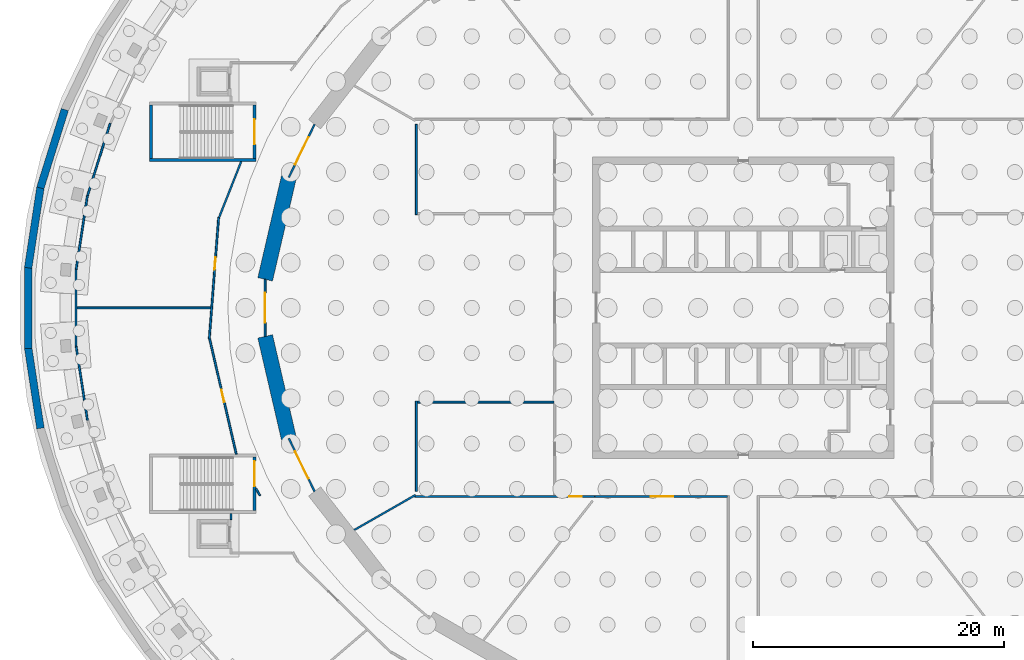
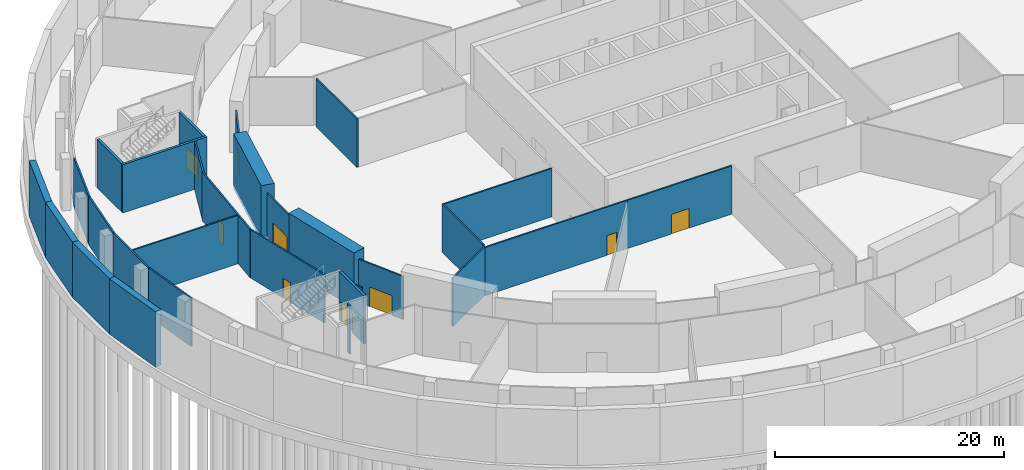
# One storey, part 7 of 15: 29 walls, 9 doors, 9 openings.
"""IFC4 building model written with IfcOpenShell, lengths in metres."""

from ifc_helpers import new_model, si_unit, direction, frame, frame_2d, origin, place, context, subcontext, project, spatial, polyline, rectangle, outline, extrude, material, layer, layer_set, type_object, element, fill, save


model = new_model("IFC4")

# Units and contexts
model_context = context("Model", 3, precision=1e-05, world=origin(), true_north=direction((0.0, 1.0)))
body_context = subcontext(model_context, "Body", "Model", "MODEL_VIEW")
ifc_project = project(units=[si_unit("LENGTHUNIT", "METRE"), si_unit("AREAUNIT", "SQUARE_METRE"), si_unit("VOLUMEUNIT", "CUBIC_METRE"), si_unit("PLANEANGLEUNIT", "RADIAN"), si_unit("MASSUNIT", "GRAM", prefix="KILO")], contexts=[model_context])

# Site, building, storey
site_placement = place(None, origin())
site = spatial("IfcSite", under=ifc_project, at=site_placement, CompositionType="ELEMENT")
building_placement = place(site_placement, origin())
building = spatial("IfcBuilding", under=site, at=building_placement, Name="Halqa Exchange Tower", CompositionType="ELEMENT")
storey_placement = place(building_placement, frame((0.0, 0.0, -15.0)))
storey = spatial("IfcBuildingStorey", under=building, at=storey_placement, Name="B3", CompositionType="ELEMENT", Elevation=-15.0)

# Walls
ifc_material_1 = material(Name="Fire-rated gypsum board")
ifc_layer_1 = layer(ifc_material_1, 0.14990234375)
ifc_layer_set_1 = layer_set([ifc_layer_1], Name="Fire-rated gypsum board")
wall_type_1 = type_object("IfcWallType", Name="Fire partition EI 60 150", PredefinedType="PARTITIONING", material=ifc_layer_set_1)
wall_1_placement = place(storey_placement, frame((-53.080078125, -3.05908203125, 0.0), z_axis=(0.0, 0.0, 1.0), x_axis=(0.0, 1.0, 0.0)))
element("IfcWall", 1, at=wall_1_placement, inside=storey, type_object=wall_type_1, Name="B3-PWL-001", PredefinedType="PARTITIONING", context=body_context, shape_type="SweptSolid", body=[
    extrude(rectangle(XDim=6.1181640625, YDim=0.14990234375, at=frame_2d((3.05908203125, 0.0))), origin(), (0.0, 0.0, 1.0), 5.14990234375),
])
for number, where, z_axis, x_axis, name in (
    (2, (-53.06640625, 3.05859375, 0.0), (0.0, 0.0, 1.0), (0.151282812967, 0.988490521199, 0.0), "B3-PWL-002"),
    (3, (-52.166748046875, -8.93701171875, 0.0), (0.0, 0.0, 1.0), (-0.151282812967, 0.988490521199, 0.0), "B3-PWL-003"),
):
    element("IfcWall", number, at=place(storey_placement, frame(where, z_axis=z_axis, x_axis=x_axis)), inside=storey, type_object=wall_type_1, Name=name, PredefinedType="PARTITIONING", context=body_context, shape_type="SweptSolid", body=[
        extrude(rectangle(XDim=5.94677734375, YDim=0.14990234375, at=frame_2d((2.973388671875, 0.0))), origin(), (0.0, 0.0, 1.0), 5.14990234375),
    ])
wall_2_placement = place(storey_placement, frame((-52.15380859375, 8.93408203125, 0.0), z_axis=(0.0, 0.0, 1.0), x_axis=(0.297713123711, 0.954655380737, 0.0)))
element("IfcWall", 4, at=wall_2_placement, inside=storey, type_object=wall_type_1, Name="B3-PWL-005", PredefinedType="PARTITIONING", context=body_context, shape_type="SweptSolid", body=[
    extrude(rectangle(XDim=6.0126953125, YDim=0.14990234375, at=frame_2d((3.00634765625, 0.0))), origin(), (0.0, 0.0, 1.0), 5.14990234375),
])

# Wall, opening, door
wall_3_placement = place(storey_placement, frame((-42.478271484375, -2.476806640625, 0.0), z_axis=(0.0, 0.0, 1.0), x_axis=(0.077027803404, 0.997028945168, 0.0)))
wall_3 = element("IfcWall", 5, at=wall_3_placement, inside=storey, type_object=wall_type_1, Name="B3-PWL-011", PredefinedType="PARTITIONING", context=body_context, shape_type="SweptSolid", body=[
    extrude(rectangle(XDim=9.6923828125, YDim=0.14990234375, at=frame_2d((4.84619140625, 0.0))), origin(), (0.0, 0.0, 1.0), 5.14990234375),
])
opening_1_placement = place(wall_3_placement, frame((5.51953125, 0.0, 0.0)))
opening_1 = element("IfcOpeningElement", 6, at=opening_1_placement, cuts=wall_3, Name="Opening B3-28", PredefinedType="OPENING", context=body_context, shape_type="SweptSolid", body=[
    extrude(rectangle(XDim=1.0, YDim=2.10009765625, at=frame_2d((0.5, 1.050048828125))), frame((0.0, 0.0869140625, 0.0), z_axis=(0.0, -1.0, 0.0), x_axis=(1.0, 0.0, 0.0)), (0.0, 0.0, 1.0), 0.173828125),
])
ifc_material_2 = material(Name="Steel fire door leaf", Category="steel")
door_type_1 = type_object("IfcDoorType", Name="Fire door FD30S 1000 x 2100", OperationType="SINGLE_SWING_LEFT", PredefinedType="DOOR", material=ifc_material_2)
door_1_placement = place(opening_1_placement, origin())
door_1 = element("IfcDoor", 7, at=door_1_placement, inside=storey, type_object=door_type_1, Name="B3-IDR-028", OperationType="SINGLE_SWING_RIGHT", OverallHeight=2.10009765625, OverallWidth=1.0, PredefinedType="DOOR", context=body_context, shape_type="SweptSolid", body=[
    extrude(rectangle(XDim=1.0, YDim=2.10009765625, at=frame_2d((0.5, 1.050048828125))), frame((0.0, 0.02490234375, 0.0), z_axis=(0.0, -1.0, 0.0), x_axis=(1.0, 0.0, 0.0)), (0.0, 0.0, 1.0), 0.050048828125),
])
fill(opening_1, door_1)

wall_4_placement = place(storey_placement, frame((-42.44482421875, -2.478515625, 0.0), z_axis=(0.0, 0.0, 1.0), x_axis=(0.225569688732, -0.974227034898, 0.0)))
wall_4 = element("IfcWall", 8, at=wall_4_placement, inside=storey, type_object=wall_type_1, Name="B3-PWL-012", PredefinedType="PARTITIONING", context=body_context, shape_type="SweptSolid", body=[
    extrude(outline(polyline([(0.0, -0.074951171875), (9.371826171875, -0.074951171875), (9.406494140625, 0.074951171875), (0.0, 0.074951171875), (0.0, -0.074951171875)])), origin(), (0.0, 0.0, 1.0), 5.14990234375),
])
opening_2_placement = place(wall_4_placement, frame((4.13671875, 0.0, 0.0)))
opening_2 = element("IfcOpeningElement", 9, at=opening_2_placement, cuts=wall_4, Name="Opening B3-29", PredefinedType="OPENING", context=body_context, shape_type="SweptSolid", body=[
    extrude(rectangle(XDim=1.0, YDim=2.10009765625, at=frame_2d((0.5, 1.050048828125))), frame((0.0, 0.0869140625, 0.0), z_axis=(0.0, -1.0, 0.0), x_axis=(1.0, 0.0, 0.0)), (0.0, 0.0, 1.0), 0.173828125),
])
door_2_placement = place(opening_2_placement, frame((1.0, 0.0, 0.0), z_axis=(0.0, 0.0, 1.0), x_axis=(-1.0, 0.0, 0.0)))
door_2 = element("IfcDoor", 10, at=door_2_placement, inside=storey, type_object=door_type_1, Name="B3-IDR-029", OperationType="SINGLE_SWING_RIGHT", OverallHeight=2.10009765625, OverallWidth=1.0, PredefinedType="DOOR", context=body_context, shape_type="SweptSolid", body=[
    extrude(rectangle(XDim=1.0, YDim=2.10009765625, at=frame_2d((0.5, 1.050048828125))), frame((0.0, 0.02490234375, 0.0), z_axis=(0.0, -1.0, 0.0), x_axis=(1.0, 0.0, 0.0)), (0.0, 0.0, 1.0), 0.050048828125),
])
fill(opening_2, door_2)

# Walls
wall_5_placement = place(storey_placement, frame((-42.361572265625, 0.0, 0.0), z_axis=(0.0, 0.0, 1.0), x_axis=(-1.0, 0.0, 0.0)))
element("IfcWall", 11, at=wall_5_placement, inside=storey, type_object=wall_type_1, Name="B3-PWL-013", PredefinedType="PARTITIONING", context=body_context, shape_type="SweptSolid", body=[
    extrude(outline(polyline([(-0.005859375, -0.074951171875), (10.643310546875, -0.074951171875), (10.643310546875, 0.074951171875), (0.005859375, 0.074951171875), (-0.005859375, -0.074951171875)])), origin(), (0.0, 0.0, 1.0), 5.14990234375),
])
wall_6_placement = place(storey_placement, frame((-41.69921875, 7.18310546875, 0.0), z_axis=(0.0, 0.0, 1.0), x_axis=(0.367872650967, 0.929876181365, 0.0)))
element("IfcWall", 12, at=wall_6_placement, inside=storey, type_object=wall_type_1, Name="B3-PWL-014", PredefinedType="PARTITIONING", context=body_context, shape_type="SweptSolid", body=[
    extrude(outline(polyline([(0.0, -0.074951171875), (4.80712890625, -0.074951171875), (4.748046875, 0.074951171875), (0.0, 0.074951171875), (0.0, -0.074951171875)])), origin(), (0.0, 0.0, 1.0), 5.14990234375),
])
wall_7_placement = place(storey_placement, frame((-40.75, -16.85009765625, 0.0), z_axis=(0.0, 0.0, 1.0), x_axis=(0.0, 1.0, 0.0)))
element("IfcWall", 13, at=wall_7_placement, inside=storey, type_object=wall_type_1, Name="B3-PWL-016", PredefinedType="PARTITIONING", context=body_context, shape_type="SweptSolid", body=[
    extrude(rectangle(XDim=0.47607421875, YDim=0.14990234375, at=frame_2d((0.238037109375, 0.0))), origin(), (0.0, 0.0, 1.0), 5.14990234375),
])
wall_8_placement = place(storey_placement, frame((-38.44189453125, -14.925537109375, 0.0), z_axis=(0.0, 0.0, 1.0), x_axis=(-0.491736998712, 0.870743776376, 0.0)))
element("IfcWall", 14, at=wall_8_placement, inside=storey, type_object=wall_type_1, Name="B3-PWL-023", PredefinedType="PARTITIONING", context=body_context, shape_type="SweptSolid", body=[
    extrude(rectangle(XDim=0.628173828125, YDim=0.14990234375, at=frame_2d((0.31396484375, 0.0))), origin(), (0.0, 0.0, 1.0), 5.14990234375),
])

# Wall, opening, door
wall_9_placement = place(storey_placement, frame((-38.030029296875, -2.267578125, 0.0), z_axis=(0.0, 0.0, 1.0), x_axis=(0.0, 1.0, 0.0)))
wall_9 = element("IfcWall", 15, at=wall_9_placement, inside=storey, type_object=wall_type_1, Name="B3-PWL-024", PredefinedType="PARTITIONING", context=body_context, shape_type="SweptSolid", body=[
    extrude(outline(polyline([(0.017333984375, -0.074951171875), (4.517822265625, -0.074951171875), (4.552490234375, 0.074951171875), (-0.017333984375, 0.074951171875), (0.017333984375, -0.074951171875)])), origin(), (0.0, 0.0, 1.0), 4.60009765625),
])
opening_3_placement = place(wall_9_placement, frame((1.0673828125, 0.0, 0.0)))
opening_3 = element("IfcOpeningElement", 16, at=opening_3_placement, cuts=wall_9, Name="Opening B3-19", PredefinedType="OPENING", context=body_context, shape_type="SweptSolid", body=[
    extrude(rectangle(XDim=2.39990234375, YDim=2.10009765625, at=frame_2d((1.199951171875, 1.050048828125))), frame((0.0, 0.0869140625, 0.0), z_axis=(0.0, -1.0, 0.0), x_axis=(1.0, 0.0, 0.0)), (0.0, 0.0, 1.0), 0.173828125),
])
door_type_2 = type_object("IfcDoorType", Name="Fire door FD60S double 2400 x 2100", OperationType="DOUBLE_DOOR_SINGLE_SWING", PredefinedType="DOOR", material=ifc_material_2)
door_3_placement = place(opening_3_placement, origin())
door_3 = element("IfcDoor", 17, at=door_3_placement, inside=storey, type_object=door_type_2, Name="B3-IDR-019", OperationType="DOUBLE_DOOR_SINGLE_SWING", OverallHeight=2.10009765625, OverallWidth=2.39990234375, PredefinedType="DOOR", context=body_context, shape_type="SweptSolid", body=[
    extrude(rectangle(XDim=2.39990234375, YDim=2.10009765625, at=frame_2d((1.199951171875, 1.050048828125))), frame((0.0, 0.02490234375, 0.0), z_axis=(0.0, -1.0, 0.0), x_axis=(1.0, 0.0, 0.0)), (0.0, 0.0, 1.0), 0.050048828125),
])
fill(opening_3, door_3)

wall_10_placement = place(storey_placement, frame((-36.14990234375, 10.3798828125, 0.0), z_axis=(0.0, 0.0, 1.0), x_axis=(0.436936398764, 0.899492403212, 0.0)))
wall_10 = element("IfcWall", 18, at=wall_10_placement, inside=storey, type_object=wall_type_1, Name="B3-PWL-025", PredefinedType="PARTITIONING", context=body_context, shape_type="SweptSolid", body=[
    extrude(outline(polyline([(0.01708984375, -0.074951171875), (4.68212890625, -0.074951171875), (4.7138671875, 0.074951171875), (-0.01708984375, 0.074951171875), (0.01708984375, -0.074951171875)])), origin(), (0.0, 0.0, 1.0), 4.60009765625),
])
opening_4_placement = place(wall_10_placement, frame((1.145751953125, 0.0, 0.0)))
opening_4 = element("IfcOpeningElement", 19, at=opening_4_placement, cuts=wall_10, Name="Opening B3-18", PredefinedType="OPENING", context=body_context, shape_type="SweptSolid", body=[
    extrude(rectangle(XDim=2.39990234375, YDim=2.10009765625, at=frame_2d((1.199951171875, 1.050048828125))), frame((0.0, 0.0869140625, 0.0), z_axis=(0.0, -1.0, 0.0), x_axis=(1.0, 0.0, 0.0)), (0.0, 0.0, 1.0), 0.173828125),
])
door_4_placement = place(opening_4_placement, origin())
door_4 = element("IfcDoor", 20, at=door_4_placement, inside=storey, type_object=door_type_2, Name="B3-IDR-018", OperationType="DOUBLE_DOOR_SINGLE_SWING", OverallHeight=2.10009765625, OverallWidth=2.39990234375, PredefinedType="DOOR", context=body_context, shape_type="SweptSolid", body=[
    extrude(rectangle(XDim=2.39990234375, YDim=2.10009765625, at=frame_2d((1.199951171875, 1.050048828125))), frame((0.0, 0.02490234375, 0.0), z_axis=(0.0, -1.0, 0.0), x_axis=(1.0, 0.0, 0.0)), (0.0, 0.0, 1.0), 0.050048828125),
])
fill(opening_4, door_4)

wall_11_placement = place(storey_placement, frame((-34.1005859375, -14.608642578125, 0.0), z_axis=(0.0, 0.0, 1.0), x_axis=(-0.436102687495, 0.899896908518, 0.0)))
wall_11 = element("IfcWall", 21, at=wall_11_placement, inside=storey, type_object=wall_type_1, Name="B3-PWL-031", PredefinedType="PARTITIONING", context=body_context, shape_type="SweptSolid", body=[
    extrude(outline(polyline([(0.01611328125, -0.074951171875), (4.68212890625, -0.074951171875), (4.71630859375, 0.074951171875), (-0.01611328125, 0.074951171875), (0.01611328125, -0.074951171875)])), origin(), (0.0, 0.0, 1.0), 4.60009765625),
])
opening_5_placement = place(wall_11_placement, frame((1.148681640625, 0.0, 0.0)))
opening_5 = element("IfcOpeningElement", 22, at=opening_5_placement, cuts=wall_11, Name="Opening B3-20", PredefinedType="OPENING", context=body_context, shape_type="SweptSolid", body=[
    extrude(rectangle(XDim=2.39990234375, YDim=2.10009765625, at=frame_2d((1.199951171875, 1.050048828125))), frame((0.0, 0.0869140625, 0.0), z_axis=(0.0, -1.0, 0.0), x_axis=(1.0, 0.0, 0.0)), (0.0, 0.0, 1.0), 0.173828125),
])
door_5_placement = place(opening_5_placement, origin())
door_5 = element("IfcDoor", 23, at=door_5_placement, inside=storey, type_object=door_type_2, Name="B3-IDR-020", OperationType="DOUBLE_DOOR_SINGLE_SWING", OverallHeight=2.10009765625, OverallWidth=2.39990234375, PredefinedType="DOOR", context=body_context, shape_type="SweptSolid", body=[
    extrude(rectangle(XDim=2.39990234375, YDim=2.10009765625, at=frame_2d((1.199951171875, 1.050048828125))), frame((0.0, 0.02490234375, 0.0), z_axis=(0.0, -1.0, 0.0), x_axis=(1.0, 0.0, 0.0)), (0.0, 0.0, 1.0), 0.050048828125),
])
fill(opening_5, door_5)

# Wall
wall_12_placement = place(storey_placement, frame((-26.0, -14.599609375, 0.0), z_axis=(0.0, 0.0, 1.0), x_axis=(0.0, 1.0, 0.0)))
element("IfcWall", 24, at=wall_12_placement, inside=storey, type_object=wall_type_1, Name="B3-PWL-038", PredefinedType="PARTITIONING", context=body_context, shape_type="SweptSolid", body=[
    extrude(rectangle(XDim=7.174560546875, YDim=0.14990234375, at=frame_2d((3.58740234375, 0.0))), origin(), (0.0, 0.0, 1.0), 5.14990234375),
])

# Wall, opening, door
wall_13_placement = place(storey_placement, frame((-26.1298828125, -15.0, 0.0), z_axis=(0.0, 0.0, 1.0), x_axis=(1.0, 0.0, 0.0)))
wall_13 = element("IfcWall", 25, at=wall_13_placement, inside=storey, type_object=wall_type_1, Name="B3-PWL-039", PredefinedType="PARTITIONING", context=body_context, shape_type="SweptSolid", body=[
    extrude(rectangle(XDim=14.31982421875, YDim=0.14990234375, at=frame_2d((7.159912109375, 0.0))), origin(), (0.0, 0.0, 1.0), 5.14990234375),
])
opening_6_placement = place(wall_13_placement, frame((12.280029296875, 0.0, 0.0)))
opening_6 = element("IfcOpeningElement", 26, at=opening_6_placement, cuts=wall_13, Name="Opening B3-13", PredefinedType="OPENING", context=body_context, shape_type="SweptSolid", body=[
    extrude(rectangle(XDim=1.0, YDim=2.10009765625, at=frame_2d((0.5, 1.050048828125))), frame((0.0, 0.0869140625, 0.0), z_axis=(0.0, -1.0, 0.0), x_axis=(1.0, 0.0, 0.0)), (0.0, 0.0, 1.0), 0.173828125),
])
door_6_placement = place(opening_6_placement, origin())
door_6 = element("IfcDoor", 27, at=door_6_placement, inside=storey, type_object=door_type_1, Name="B3-IDR-013", OperationType="SINGLE_SWING_RIGHT", OverallHeight=2.10009765625, OverallWidth=1.0, PredefinedType="DOOR", context=body_context, shape_type="SweptSolid", body=[
    extrude(rectangle(XDim=1.0, YDim=2.10009765625, at=frame_2d((0.5, 1.050048828125))), frame((0.0, 0.02490234375, 0.0), z_axis=(0.0, -1.0, 0.0), x_axis=(1.0, 0.0, 0.0)), (0.0, 0.0, 1.0), 0.050048828125),
])
fill(opening_6, door_6)

# Walls
wall_14_placement = place(storey_placement, frame((-26.07421875, -14.88232421875, 0.0), z_axis=(0.0, 0.0, 1.0), x_axis=(-0.868133416031, -0.496330909746, 0.0)))
element("IfcWall", 28, at=wall_14_placement, inside=storey, type_object=wall_type_1, Name="B3-PWL-040", PredefinedType="PARTITIONING", context=body_context, shape_type="SweptSolid", body=[
    extrude(outline(polyline([(0.0, -0.074951171875), (5.625732421875, -0.074951171875), (5.604248046875, 0.074951171875), (0.0, 0.074951171875), (0.0, -0.074951171875)])), origin(), (0.0, 0.0, 1.0), 5.14990234375),
])
wall_15_placement = place(storey_placement, frame((-25.926025390625, -7.5, 0.0), z_axis=(0.0, 0.0, 1.0), x_axis=(1.0, 0.0, 0.0)))
element("IfcWall", 29, at=wall_15_placement, inside=storey, type_object=wall_type_1, Name="B3-PWL-041", PredefinedType="PARTITIONING", context=body_context, shape_type="SweptSolid", body=[
    extrude(rectangle(XDim=10.85107421875, YDim=0.14990234375, at=frame_2d((5.425537109375, 0.0))), origin(), (0.0, 0.0, 1.0), 5.14990234375),
])
wall_16_placement = place(storey_placement, frame((-26.0, 7.425048828125, 0.0), z_axis=(0.0, 0.0, 1.0), x_axis=(0.0, 1.0, 0.0)))
element("IfcWall", 30, at=wall_16_placement, inside=storey, type_object=wall_type_1, Name="B3-PWL-042", PredefinedType="PARTITIONING", context=body_context, shape_type="SweptSolid", body=[
    extrude(rectangle(XDim=7.174560546875, YDim=0.14990234375, at=frame_2d((3.58740234375, 0.0))), origin(), (0.0, 0.0, 1.0), 5.14990234375),
])

# Wall, opening, door
wall_17_placement = place(storey_placement, frame((-1.27490234375, -15.0, 0.0), z_axis=(0.0, 0.0, 1.0), x_axis=(-1.0, 0.0, 0.0)))
wall_17 = element("IfcWall", 31, at=wall_17_placement, inside=storey, type_object=wall_type_1, Name="B3-PWL-072", PredefinedType="PARTITIONING", context=body_context, shape_type="SweptSolid", body=[
    extrude(rectangle(XDim=10.53564453125, YDim=0.14990234375, at=frame_2d((5.267822265625, 0.0))), origin(), (0.0, 0.0, 1.0), 5.14990234375),
])
opening_7_placement = place(wall_17_placement, frame((4.2939453125, 0.0, 0.0)))
opening_7 = element("IfcOpeningElement", 32, at=opening_7_placement, cuts=wall_17, Name="Opening B3-14", PredefinedType="OPENING", context=body_context, shape_type="SweptSolid", body=[
    extrude(rectangle(XDim=1.800048828125, YDim=2.10009765625, at=frame_2d((0.89990234375, 1.050048828125))), frame((0.0, 0.0869140625, 0.0), z_axis=(0.0, -1.0, 0.0), x_axis=(1.0, 0.0, 0.0)), (0.0, 0.0, 1.0), 0.173828125),
])
door_type_3 = type_object("IfcDoorType", Name="Fire door FD30S double 1800 x 2100", OperationType="DOUBLE_DOOR_SINGLE_SWING", PredefinedType="DOOR", material=ifc_material_2)
door_7_placement = place(opening_7_placement, frame((1.800048828125, 0.0, 0.0), z_axis=(0.0, 0.0, 1.0), x_axis=(-1.0, 0.0, 0.0)))
door_7 = element("IfcDoor", 33, at=door_7_placement, inside=storey, type_object=door_type_3, Name="B3-IDR-014", OperationType="DOUBLE_DOOR_SINGLE_SWING", OverallHeight=2.10009765625, OverallWidth=1.800048828125, PredefinedType="DOOR", context=body_context, shape_type="SweptSolid", body=[
    extrude(rectangle(XDim=1.800048828125, YDim=2.10009765625, at=frame_2d((0.89990234375, 1.050048828125))), frame((0.0, 0.02490234375, 0.0), z_axis=(0.0, -1.0, 0.0), x_axis=(1.0, 0.0, 0.0)), (0.0, 0.0, 1.0), 0.050048828125),
])
fill(opening_7, door_7)

# Walls
ifc_material_3 = material(Name="Concrete C40/50", Category="concrete")
ifc_layer_2 = layer(ifc_material_3, 0.60009765625)
ifc_layer_set_2 = layer_set([ifc_layer_2], Name="Concrete C40/50")
wall_type_2 = type_object("IfcWallType", Name="RC basement wall 600", PredefinedType="SOLIDWALL", material=ifc_layer_set_2)
wall_18_placement = place(storey_placement, frame((-53.968505859375, 15.771484375, -0.39990234375), z_axis=(0.0, 0.0, 1.0), x_axis=(-0.297591507632, -0.954693298701, 0.0)))
element("IfcWall", 34, at=wall_18_placement, inside=storey, type_object=wall_type_2, Name="Basement retaining wall", PredefinedType="SOLIDWALL", context=body_context, shape_type="SweptSolid", body=[
    extrude(rectangle(XDim=6.529541015625, YDim=0.60009765625, at=frame_2d((3.2646484375, 0.0))), origin(), (0.0, 0.0, 1.0), 5.89990234375),
])
wall_19_placement = place(storey_placement, frame((-55.9013671875, 9.581787109375, -0.39990234375), z_axis=(0.0, 0.0, 1.0), x_axis=(-0.151402579615, -0.988472184174, 0.0)))
element("IfcWall", 35, at=wall_19_placement, inside=storey, type_object=wall_type_2, Name="Basement retaining wall", PredefinedType="SOLIDWALL", context=body_context, shape_type="SweptSolid", body=[
    extrude(rectangle(XDim=6.474365234375, YDim=0.60009765625, at=frame_2d((3.2373046875, 0.0))), origin(), (0.0, 0.0, 1.0), 5.89990234375),
])
wall_20_placement = place(storey_placement, frame((-56.8779296875, 3.2275390625, -0.39990234375), z_axis=(0.0, 0.0, 1.0), x_axis=(0.0, -1.0, 0.0)))
element("IfcWall", 36, at=wall_20_placement, inside=storey, type_object=wall_type_2, Name="Basement retaining wall", PredefinedType="SOLIDWALL", context=body_context, shape_type="SweptSolid", body=[
    extrude(rectangle(XDim=6.455078125, YDim=0.60009765625, at=frame_2d((3.2275390625, 0.0))), origin(), (0.0, 0.0, 1.0), 5.89990234375),
])
wall_21_placement = place(storey_placement, frame((-56.881591796875, -3.18212890625, -0.39990234375), z_axis=(0.0, 0.0, 1.0), x_axis=(0.151402579615, -0.988472184174, 0.0)))
element("IfcWall", 37, at=wall_21_placement, inside=storey, type_object=wall_type_2, Name="Basement retaining wall", PredefinedType="SOLIDWALL", context=body_context, shape_type="SweptSolid", body=[
    extrude(rectangle(XDim=6.474365234375, YDim=0.60009765625, at=frame_2d((3.2373046875, 0.0))), origin(), (0.0, 0.0, 1.0), 5.89990234375),
])
ifc_material_4 = material(Name="Concrete C80/95", Category="concrete")
ifc_layer_3 = layer(ifc_material_4, 1.199951171875)
ifc_layer_set_3 = layer_set([ifc_layer_3], Name="Concrete C80/95")
wall_type_3 = type_object("IfcWallType", Name="RC ring pier 1200 C80/95", PredefinedType="SHEAR", material=ifc_layer_set_3)
for number, where, z_axis, x_axis, name in (
    (38, (-36.14892578125, 10.38037109375, -0.39990234375), (0.0, 0.0, 1.0), (-0.226058185805, -0.974113800657, 0.0), "Ring pier 8"),
    (39, (-38.03173828125, -2.26708984375, -0.39990234375), (0.0, 0.0, 1.0), (0.226058185805, -0.974113800657, 0.0), "Ring pier 9"),
):
    element("IfcWall", number, at=place(storey_placement, frame(where, z_axis=z_axis, x_axis=x_axis)), inside=storey, type_object=wall_type_3, Name=name, PredefinedType="SHEAR", context=body_context, shape_type="SweptSolid", body=[
        extrude(rectangle(XDim=8.328857421875, YDim=1.199951171875, at=frame_2d((4.16455078125, 0.0))), origin(), (0.0, 0.0, 1.0), 5.89990234375),
    ])
ifc_material_5 = material(Name="Concrete C30/37", Category="concrete")
ifc_layer_4 = layer(ifc_material_5, 0.25)
ifc_layer_set_4 = layer_set([ifc_layer_4], Name="Concrete C30/37")
wall_type_4 = type_object("IfcWallType", Name="RC stair wall 250 C30/37", PredefinedType="SHEAR", material=ifc_layer_set_4)
wall_22_placement = place(storey_placement, frame((-47.25, 11.75, 0.0), z_axis=(0.0, 0.0, 1.0), x_axis=(1.0, 0.0, 0.0)))
element("IfcWall", 40, at=wall_22_placement, inside=storey, type_object=wall_type_4, Name="Stair SS3 wall south", PredefinedType="SHEAR", context=body_context, shape_type="SweptSolid", body=[
    extrude(rectangle(XDim=8.5, YDim=0.25, at=frame_2d((4.25, 0.0))), origin(), (0.0, 0.0, 1.0), 5.14990234375),
])
wall_23_placement = place(storey_placement, frame((-47.125, 11.875, 0.0), z_axis=(0.0, 0.0, 1.0), x_axis=(0.0, 1.0, 0.0)))
element("IfcWall", 41, at=wall_23_placement, inside=storey, type_object=wall_type_4, Name="Stair SS3 wall west", PredefinedType="SHEAR", context=body_context, shape_type="SweptSolid", body=[
    extrude(rectangle(XDim=4.25, YDim=0.25, at=frame_2d((2.125, 0.0))), origin(), (0.0, 0.0, 1.0), 5.14990234375),
])

# Wall, opening, door
wall_24_placement = place(storey_placement, frame((-38.875, 11.875, 0.0), z_axis=(0.0, 0.0, 1.0), x_axis=(0.0, 1.0, 0.0)))
wall_24 = element("IfcWall", 42, at=wall_24_placement, inside=storey, type_object=wall_type_4, Name="Stair SS3 wall east", PredefinedType="SHEAR", context=body_context, shape_type="SweptSolid", body=[
    extrude(rectangle(XDim=4.25, YDim=0.25, at=frame_2d((2.125, 0.0))), origin(), (0.0, 0.0, 1.0), 5.14990234375),
])
opening_8_placement = place(wall_24_placement, frame((1.125, 0.0, 0.0)))
opening_8 = element("IfcOpeningElement", 43, at=opening_8_placement, cuts=wall_24, Name="Opening B3-C13", PredefinedType="OPENING", context=body_context, shape_type="SweptSolid", body=[
    extrude(rectangle(XDim=2.0, YDim=2.10009765625, at=frame_2d((1.0, 1.050048828125))), frame((0.0, 0.136962890625, 0.0), z_axis=(0.0, -1.0, 0.0), x_axis=(1.0, 0.0, 0.0)), (0.0, 0.0, 1.0), 0.27392578125),
])
door_type_4 = type_object("IfcDoorType", Name="Station stair double door FD90 2000 x 2100", OperationType="DOUBLE_DOOR_SINGLE_SWING", PredefinedType="DOOR", material=ifc_material_2)
door_8_placement = place(opening_8_placement, origin())
door_8 = element("IfcDoor", 44, at=door_8_placement, inside=storey, type_object=door_type_4, Name="Core room door", OperationType="DOUBLE_DOOR_SINGLE_SWING", OverallHeight=2.10009765625, OverallWidth=2.0, PredefinedType="DOOR", context=body_context, shape_type="SweptSolid", body=[
    extrude(rectangle(XDim=2.0, YDim=2.10009765625, at=frame_2d((1.0, 1.050048828125))), frame((0.0, 0.02490234375, 0.0), z_axis=(0.0, -1.0, 0.0), x_axis=(1.0, 0.0, 0.0)), (0.0, 0.0, 1.0), 0.050048828125),
])
fill(opening_8, door_8)

wall_25_placement = place(storey_placement, frame((-38.875, -16.125, 0.0), z_axis=(0.0, 0.0, 1.0), x_axis=(0.0, 1.0, 0.0)))
wall_25 = element("IfcWall", 45, at=wall_25_placement, inside=storey, type_object=wall_type_4, Name="Stair SS4 wall east", PredefinedType="SHEAR", context=body_context, shape_type="SweptSolid", body=[
    extrude(rectangle(XDim=4.25, YDim=0.25, at=frame_2d((2.125, 0.0))), origin(), (0.0, 0.0, 1.0), 5.14990234375),
])
opening_9_placement = place(wall_25_placement, frame((1.925048828125, 0.0, 0.0)))
opening_9 = element("IfcOpeningElement", 46, at=opening_9_placement, cuts=wall_25, Name="Opening B3-C14", PredefinedType="OPENING", context=body_context, shape_type="SweptSolid", body=[
    extrude(rectangle(XDim=2.0, YDim=2.10009765625, at=frame_2d((1.0, 1.050048828125))), frame((0.0, 0.136962890625, 0.0), z_axis=(0.0, -1.0, 0.0), x_axis=(1.0, 0.0, 0.0)), (0.0, 0.0, 1.0), 0.27392578125),
])
door_9_placement = place(opening_9_placement, origin())
door_9 = element("IfcDoor", 47, at=door_9_placement, inside=storey, type_object=door_type_4, Name="Core room door", OperationType="DOUBLE_DOOR_SINGLE_SWING", OverallHeight=2.10009765625, OverallWidth=2.0, PredefinedType="DOOR", context=body_context, shape_type="SweptSolid", body=[
    extrude(rectangle(XDim=2.0, YDim=2.10009765625, at=frame_2d((1.0, 1.050048828125))), frame((0.0, 0.02490234375, 0.0), z_axis=(0.0, -1.0, 0.0), x_axis=(1.0, 0.0, 0.0)), (0.0, 0.0, 1.0), 0.050048828125),
])
fill(opening_9, door_9)

save(model, "model.ifc")
